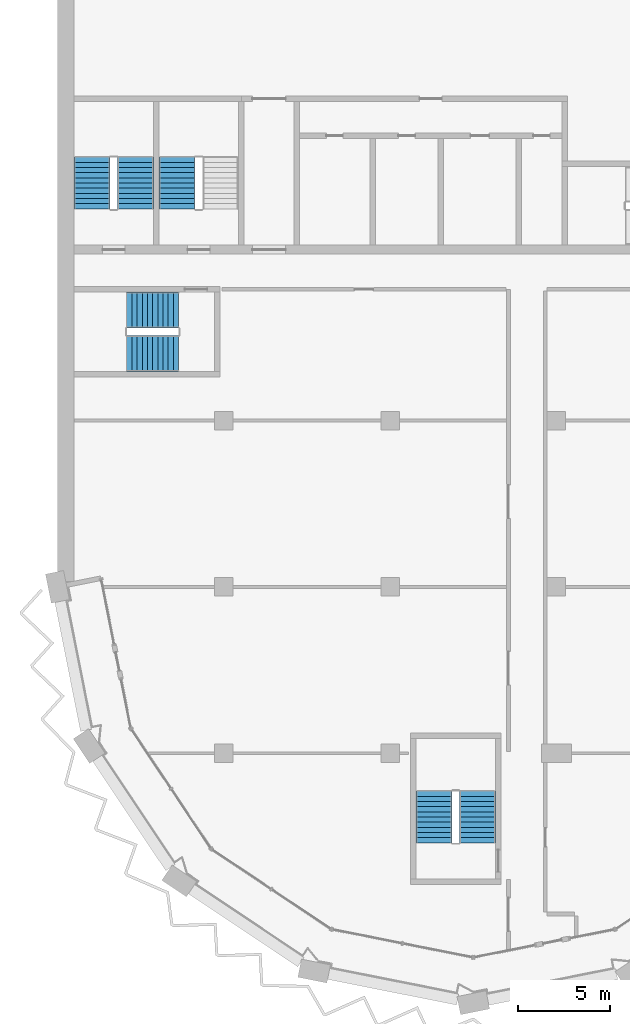
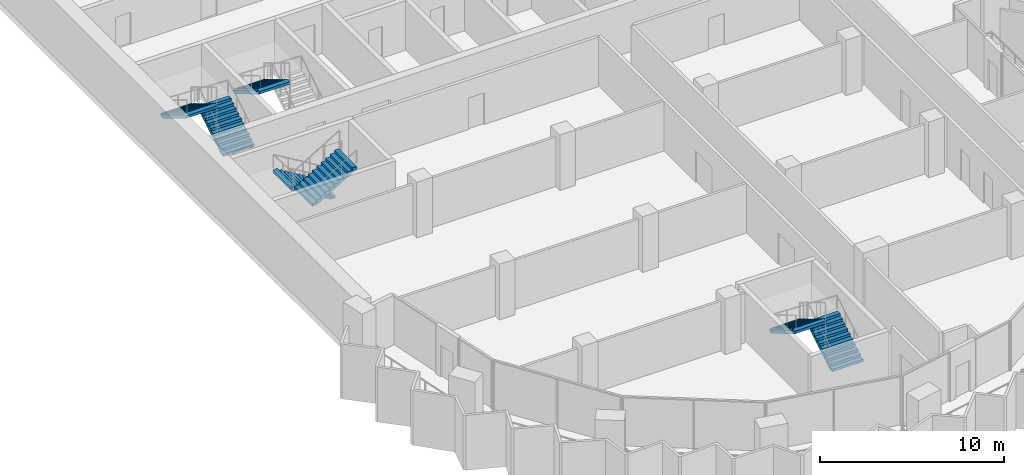
# One storey, part 11 of 16: 7 stair flights, 4 elements without a shape of their own.
"""IFC4 building model written with IfcOpenShell, lengths in metres."""

from ifc_helpers import new_model, si_unit, direction, frame, origin, place, context, subcontext, project, spatial, polyline, outline, extrude, material, type_object, element, aggregate, save


model = new_model("IFC4")

# Units and contexts
model_context = context("Model", 3, precision=1e-05, world=origin(), true_north=direction((0.0, 1.0)))
body_context = subcontext(model_context, "Body", "Model", "MODEL_VIEW")
ifc_project = project(units=[si_unit("LENGTHUNIT", "METRE"), si_unit("AREAUNIT", "SQUARE_METRE"), si_unit("VOLUMEUNIT", "CUBIC_METRE"), si_unit("PLANEANGLEUNIT", "RADIAN"), si_unit("MASSUNIT", "GRAM", prefix="KILO")], contexts=[model_context])

# Site, building, storey
site_placement = place(None, origin())
site = spatial("IfcSite", under=ifc_project, at=site_placement, CompositionType="ELEMENT")
building_placement = place(site_placement, origin())
building = spatial("IfcBuilding", under=site, at=building_placement, Name="Hunhe Ridgeline Campus", CompositionType="ELEMENT")
storey_placement = place(building_placement, frame((0.0, 0.0, 239.199951171875)))
storey = spatial("IfcBuildingStorey", under=building, at=storey_placement, Name="L61", CompositionType="ELEMENT", Elevation=239.199951171875)

# Stair, stair flights
ifc_material = material(Name="Concrete C40", Category="concrete")
stair_type = type_object("IfcStairType", Name="Reinforced concrete dog-leg stair 1950 Concrete C40", PredefinedType="HALF_TURN_STAIR", material=ifc_material)
stair_1_placement = place(storey_placement, origin())
stair_1 = element("IfcStair", 1, at=stair_1_placement, inside=storey, type_object=stair_type, Name="L61 S3", PredefinedType="HALF_TURN_STAIR")
stair_flight_type = type_object("IfcStairFlightType", Name="Reinforced concrete stair flight 1950 Concrete C40", PredefinedType="STRAIGHT", material=ifc_material)
stair_flight_1_placement = place(storey_placement, frame((4.22509765625, 65.449951171875, 0.0), z_axis=(0.0, 0.0, 1.0), x_axis=(0.0, 1.0, 0.0)))
stair_flight_1 = element("IfcStairFlight", 2, at=stair_flight_1_placement, type_object=stair_flight_type, Name="ST3 flight 1", NumberOfRisers=11, NumberOfTreads=10, PredefinedType="STRAIGHT", RiserHeight=0.168181818, TreadLength=0.28, context=body_context, shape_type="SweptSolid", body=[
    extrude(outline(polyline([(0.0, 0.0), (0.0, 0.168212890625), (0.280029296875, 0.168212890625), (0.280029296875, 0.33642578125), (0.56005859375, 0.33642578125), (0.56005859375, 0.504638671875), (0.840087890625, 0.504638671875), (0.840087890625, 0.672607421875), (1.1201171875, 0.672607421875), (1.1201171875, 0.8408203125), (1.39990234375, 0.8408203125), (1.39990234375, 1.009033203125), (1.679931640625, 1.009033203125), (1.679931640625, 1.17724609375), (1.9599609375, 1.17724609375), (1.9599609375, 1.345458984375), (2.239990234375, 1.345458984375), (2.239990234375, 1.513671875), (2.52001953125, 1.513671875), (2.52001953125, 1.681884765625), (2.800048828125, 1.681884765625), (2.800048828125, 1.85009765625), (2.800048828125, 1.5068359375), (0.291015625, 0.0), (0.0, 0.0)])), frame((0.0, 0.97509765625, 0.0), z_axis=(0.0, -1.0, 0.0), x_axis=(1.0, 0.0, 0.0)), (0.0, 0.0, 1.0), 1.949951171875),
    extrude(outline(polyline([(0.030029296875, 0.030029296875), (0.030029296875, 0.13818359375), (0.31005859375, 0.13818359375), (0.31005859375, 0.306396484375), (0.590087890625, 0.306396484375), (0.590087890625, 0.474609375), (0.8701171875, 0.474609375), (0.8701171875, 0.642578125), (1.14990234375, 0.642578125), (1.14990234375, 0.810791015625), (1.429931640625, 0.810791015625), (1.429931640625, 0.97900390625), (1.7099609375, 0.97900390625), (1.7099609375, 1.147216796875), (1.989990234375, 1.147216796875), (1.989990234375, 1.3154296875), (2.27001953125, 1.3154296875), (2.27001953125, 1.483642578125), (2.550048828125, 1.483642578125), (2.550048828125, 1.65185546875), (2.77001953125, 1.65185546875), (2.77001953125, 1.52392578125), (0.28271484375, 0.030029296875), (0.030029296875, 0.030029296875)])), frame((0.0, -0.070068359375, 0.0), z_axis=(0.0, -1.0, 0.0), x_axis=(1.0, 0.0, 0.0)), (0.0, 0.0, 1.0), 0.019775390625),
    extrude(outline(polyline([(0.030029296875, 0.030029296875), (0.030029296875, 0.13818359375), (0.31005859375, 0.13818359375), (0.31005859375, 0.306396484375), (0.590087890625, 0.306396484375), (0.590087890625, 0.474609375), (0.8701171875, 0.474609375), (0.8701171875, 0.642578125), (1.14990234375, 0.642578125), (1.14990234375, 0.810791015625), (1.429931640625, 0.810791015625), (1.429931640625, 0.97900390625), (1.7099609375, 0.97900390625), (1.7099609375, 1.147216796875), (1.989990234375, 1.147216796875), (1.989990234375, 1.3154296875), (2.27001953125, 1.3154296875), (2.27001953125, 1.483642578125), (2.550048828125, 1.483642578125), (2.550048828125, 1.65185546875), (2.77001953125, 1.65185546875), (2.77001953125, 1.52392578125), (0.28271484375, 0.030029296875), (0.030029296875, 0.030029296875)])), frame((0.0, 0.010009765625, 0.0), z_axis=(0.0, -1.0, 0.0), x_axis=(1.0, 0.0, 0.0)), (0.0, 0.0, 1.0), 0.019775390625),
    extrude(outline(polyline([(0.030029296875, 0.030029296875), (0.030029296875, 0.13818359375), (0.31005859375, 0.13818359375), (0.31005859375, 0.306396484375), (0.590087890625, 0.306396484375), (0.590087890625, 0.474609375), (0.8701171875, 0.474609375), (0.8701171875, 0.642578125), (1.14990234375, 0.642578125), (1.14990234375, 0.810791015625), (1.429931640625, 0.810791015625), (1.429931640625, 0.97900390625), (1.7099609375, 0.97900390625), (1.7099609375, 1.147216796875), (1.989990234375, 1.147216796875), (1.989990234375, 1.3154296875), (2.27001953125, 1.3154296875), (2.27001953125, 1.483642578125), (2.550048828125, 1.483642578125), (2.550048828125, 1.65185546875), (2.77001953125, 1.65185546875), (2.77001953125, 1.52392578125), (0.28271484375, 0.030029296875), (0.030029296875, 0.030029296875)])), frame((0.0, 0.090087890625, 0.0), z_axis=(0.0, -1.0, 0.0), x_axis=(1.0, 0.0, 0.0)), (0.0, 0.0, 1.0), 0.019775390625),
])
stair_flight_2_placement = place(storey_placement, frame((1.875, 68.25, 1.85009765625), z_axis=(0.0, 0.0, 1.0), x_axis=(0.0, -1.0, 0.0)))
stair_flight_2 = element("IfcStairFlight", 3, at=stair_flight_2_placement, type_object=stair_flight_type, Name="ST3 flight 2", NumberOfRisers=11, NumberOfTreads=10, PredefinedType="STRAIGHT", RiserHeight=0.168181818, TreadLength=0.28, context=body_context, shape_type="SweptSolid", body=[
    extrude(outline(polyline([(0.0, 0.0), (0.0, 0.168212890625), (0.280029296875, 0.168212890625), (0.280029296875, 0.33642578125), (0.56005859375, 0.33642578125), (0.56005859375, 0.504638671875), (0.840087890625, 0.504638671875), (0.840087890625, 0.672607421875), (1.1201171875, 0.672607421875), (1.1201171875, 0.8408203125), (1.39990234375, 0.8408203125), (1.39990234375, 1.009033203125), (1.679931640625, 1.009033203125), (1.679931640625, 1.17724609375), (1.9599609375, 1.17724609375), (1.9599609375, 1.345458984375), (2.239990234375, 1.345458984375), (2.239990234375, 1.513671875), (2.52001953125, 1.513671875), (2.52001953125, 1.681884765625), (2.800048828125, 1.681884765625), (2.800048828125, 1.85009765625), (2.800048828125, 1.5068359375), (0.291015625, 0.0), (0.0, 0.0)])), frame((0.0, 0.97509765625, 0.0), z_axis=(0.0, -1.0, 0.0), x_axis=(1.0, 0.0, 0.0)), (0.0, 0.0, 1.0), 1.949951171875),
    extrude(outline(polyline([(0.030029296875, 0.030029296875), (0.030029296875, 0.13818359375), (0.31005859375, 0.13818359375), (0.31005859375, 0.306396484375), (0.590087890625, 0.306396484375), (0.590087890625, 0.474609375), (0.8701171875, 0.474609375), (0.8701171875, 0.642578125), (1.14990234375, 0.642578125), (1.14990234375, 0.810791015625), (1.429931640625, 0.810791015625), (1.429931640625, 0.97900390625), (1.7099609375, 0.97900390625), (1.7099609375, 1.147216796875), (1.989990234375, 1.147216796875), (1.989990234375, 1.3154296875), (2.27001953125, 1.3154296875), (2.27001953125, 1.483642578125), (2.550048828125, 1.483642578125), (2.550048828125, 1.65185546875), (2.77001953125, 1.65185546875), (2.77001953125, 1.52392578125), (0.28271484375, 0.030029296875), (0.030029296875, 0.030029296875)])), frame((0.0, -0.070068359375, 0.0), z_axis=(0.0, -1.0, 0.0), x_axis=(1.0, 0.0, 0.0)), (0.0, 0.0, 1.0), 0.019775390625),
    extrude(outline(polyline([(0.030029296875, 0.030029296875), (0.030029296875, 0.13818359375), (0.31005859375, 0.13818359375), (0.31005859375, 0.306396484375), (0.590087890625, 0.306396484375), (0.590087890625, 0.474609375), (0.8701171875, 0.474609375), (0.8701171875, 0.642578125), (1.14990234375, 0.642578125), (1.14990234375, 0.810791015625), (1.429931640625, 0.810791015625), (1.429931640625, 0.97900390625), (1.7099609375, 0.97900390625), (1.7099609375, 1.147216796875), (1.989990234375, 1.147216796875), (1.989990234375, 1.3154296875), (2.27001953125, 1.3154296875), (2.27001953125, 1.483642578125), (2.550048828125, 1.483642578125), (2.550048828125, 1.65185546875), (2.77001953125, 1.65185546875), (2.77001953125, 1.52392578125), (0.28271484375, 0.030029296875), (0.030029296875, 0.030029296875)])), frame((0.0, 0.010009765625, 0.0), z_axis=(0.0, -1.0, 0.0), x_axis=(1.0, 0.0, 0.0)), (0.0, 0.0, 1.0), 0.019775390625),
    extrude(outline(polyline([(0.030029296875, 0.030029296875), (0.030029296875, 0.13818359375), (0.31005859375, 0.13818359375), (0.31005859375, 0.306396484375), (0.590087890625, 0.306396484375), (0.590087890625, 0.474609375), (0.8701171875, 0.474609375), (0.8701171875, 0.642578125), (1.14990234375, 0.642578125), (1.14990234375, 0.810791015625), (1.429931640625, 0.810791015625), (1.429931640625, 0.97900390625), (1.7099609375, 0.97900390625), (1.7099609375, 1.147216796875), (1.989990234375, 1.147216796875), (1.989990234375, 1.3154296875), (2.27001953125, 1.3154296875), (2.27001953125, 1.483642578125), (2.550048828125, 1.483642578125), (2.550048828125, 1.65185546875), (2.77001953125, 1.65185546875), (2.77001953125, 1.52392578125), (0.28271484375, 0.030029296875), (0.030029296875, 0.030029296875)])), frame((0.0, 0.090087890625, 0.0), z_axis=(0.0, -1.0, 0.0), x_axis=(1.0, 0.0, 0.0)), (0.0, 0.0, 1.0), 0.019775390625),
])
aggregate(stair_1, [stair_flight_1, stair_flight_2])

# Stair, stair flight
stair_2_placement = place(storey_placement, origin())
stair_2 = element("IfcStair", 4, at=stair_2_placement, inside=storey, type_object=stair_type, Name="L61 S4", PredefinedType="HALF_TURN_STAIR")
stair_flight_3_placement = place(storey_placement, frame((6.47509765625, 68.25, 1.85009765625), z_axis=(0.0, 0.0, 1.0), x_axis=(0.0, -1.0, 0.0)))
stair_flight_3 = element("IfcStairFlight", 5, at=stair_flight_3_placement, type_object=stair_flight_type, Name="ST4 flight 2", NumberOfRisers=11, NumberOfTreads=10, PredefinedType="STRAIGHT", RiserHeight=0.168181818, TreadLength=0.28, context=body_context, shape_type="SweptSolid", body=[
    extrude(outline(polyline([(0.0, 0.0), (0.0, 0.168212890625), (0.280029296875, 0.168212890625), (0.280029296875, 0.33642578125), (0.56005859375, 0.33642578125), (0.56005859375, 0.504638671875), (0.840087890625, 0.504638671875), (0.840087890625, 0.672607421875), (1.1201171875, 0.672607421875), (1.1201171875, 0.8408203125), (1.39990234375, 0.8408203125), (1.39990234375, 1.009033203125), (1.679931640625, 1.009033203125), (1.679931640625, 1.17724609375), (1.9599609375, 1.17724609375), (1.9599609375, 1.345458984375), (2.239990234375, 1.345458984375), (2.239990234375, 1.513671875), (2.52001953125, 1.513671875), (2.52001953125, 1.681884765625), (2.800048828125, 1.681884765625), (2.800048828125, 1.85009765625), (2.800048828125, 1.5068359375), (0.291015625, 0.0), (0.0, 0.0)])), frame((0.0, 0.97509765625, 0.0), z_axis=(0.0, -1.0, 0.0), x_axis=(1.0, 0.0, 0.0)), (0.0, 0.0, 1.0), 1.949951171875),
    extrude(outline(polyline([(0.030029296875, 0.030029296875), (0.030029296875, 0.13818359375), (0.31005859375, 0.13818359375), (0.31005859375, 0.306396484375), (0.590087890625, 0.306396484375), (0.590087890625, 0.474609375), (0.8701171875, 0.474609375), (0.8701171875, 0.642578125), (1.14990234375, 0.642578125), (1.14990234375, 0.810791015625), (1.429931640625, 0.810791015625), (1.429931640625, 0.97900390625), (1.7099609375, 0.97900390625), (1.7099609375, 1.147216796875), (1.989990234375, 1.147216796875), (1.989990234375, 1.3154296875), (2.27001953125, 1.3154296875), (2.27001953125, 1.483642578125), (2.550048828125, 1.483642578125), (2.550048828125, 1.65185546875), (2.77001953125, 1.65185546875), (2.77001953125, 1.52392578125), (0.28271484375, 0.030029296875), (0.030029296875, 0.030029296875)])), frame((0.0, -0.070068359375, 0.0), z_axis=(0.0, -1.0, 0.0), x_axis=(1.0, 0.0, 0.0)), (0.0, 0.0, 1.0), 0.019775390625),
    extrude(outline(polyline([(0.030029296875, 0.030029296875), (0.030029296875, 0.13818359375), (0.31005859375, 0.13818359375), (0.31005859375, 0.306396484375), (0.590087890625, 0.306396484375), (0.590087890625, 0.474609375), (0.8701171875, 0.474609375), (0.8701171875, 0.642578125), (1.14990234375, 0.642578125), (1.14990234375, 0.810791015625), (1.429931640625, 0.810791015625), (1.429931640625, 0.97900390625), (1.7099609375, 0.97900390625), (1.7099609375, 1.147216796875), (1.989990234375, 1.147216796875), (1.989990234375, 1.3154296875), (2.27001953125, 1.3154296875), (2.27001953125, 1.483642578125), (2.550048828125, 1.483642578125), (2.550048828125, 1.65185546875), (2.77001953125, 1.65185546875), (2.77001953125, 1.52392578125), (0.28271484375, 0.030029296875), (0.030029296875, 0.030029296875)])), frame((0.0, 0.010009765625, 0.0), z_axis=(0.0, -1.0, 0.0), x_axis=(1.0, 0.0, 0.0)), (0.0, 0.0, 1.0), 0.019775390625),
    extrude(outline(polyline([(0.030029296875, 0.030029296875), (0.030029296875, 0.13818359375), (0.31005859375, 0.13818359375), (0.31005859375, 0.306396484375), (0.590087890625, 0.306396484375), (0.590087890625, 0.474609375), (0.8701171875, 0.474609375), (0.8701171875, 0.642578125), (1.14990234375, 0.642578125), (1.14990234375, 0.810791015625), (1.429931640625, 0.810791015625), (1.429931640625, 0.97900390625), (1.7099609375, 0.97900390625), (1.7099609375, 1.147216796875), (1.989990234375, 1.147216796875), (1.989990234375, 1.3154296875), (2.27001953125, 1.3154296875), (2.27001953125, 1.483642578125), (2.550048828125, 1.483642578125), (2.550048828125, 1.65185546875), (2.77001953125, 1.65185546875), (2.77001953125, 1.52392578125), (0.28271484375, 0.030029296875), (0.030029296875, 0.030029296875)])), frame((0.0, 0.090087890625, 0.0), z_axis=(0.0, -1.0, 0.0), x_axis=(1.0, 0.0, 0.0)), (0.0, 0.0, 1.0), 0.019775390625),
])
aggregate(stair_2, [stair_flight_3])

# Stair, stair flights
stair_3_placement = place(storey_placement, origin())
stair_3 = element("IfcStair", 6, at=stair_3_placement, inside=storey, type_object=stair_type, Name="L61 W3", PredefinedType="HALF_TURN_STAIR")
stair_flight_4_placement = place(storey_placement, frame((22.72509765625, 31.14990234375, 0.0), z_axis=(0.0, 0.0, 1.0), x_axis=(0.0, 1.0, 0.0)))
stair_flight_4 = element("IfcStairFlight", 7, at=stair_flight_4_placement, type_object=stair_flight_type, Name="ST9 flight 1", NumberOfRisers=11, NumberOfTreads=10, PredefinedType="STRAIGHT", RiserHeight=0.168181818, TreadLength=0.28, context=body_context, shape_type="SweptSolid", body=[
    extrude(outline(polyline([(0.0, 0.0), (0.0, 0.168212890625), (0.280029296875, 0.168212890625), (0.280029296875, 0.33642578125), (0.56005859375, 0.33642578125), (0.56005859375, 0.504638671875), (0.840087890625, 0.504638671875), (0.840087890625, 0.672607421875), (1.1201171875, 0.672607421875), (1.1201171875, 0.8408203125), (1.39990234375, 0.8408203125), (1.39990234375, 1.009033203125), (1.679931640625, 1.009033203125), (1.679931640625, 1.17724609375), (1.9599609375, 1.17724609375), (1.9599609375, 1.345458984375), (2.239990234375, 1.345458984375), (2.239990234375, 1.513671875), (2.52001953125, 1.513671875), (2.52001953125, 1.681884765625), (2.800048828125, 1.681884765625), (2.800048828125, 1.85009765625), (2.800048828125, 1.5068359375), (0.291015625, 0.0), (0.0, 0.0)])), frame((0.0, 0.97509765625, 0.0), z_axis=(0.0, -1.0, 0.0), x_axis=(1.0, 0.0, 0.0)), (0.0, 0.0, 1.0), 1.949951171875),
    extrude(outline(polyline([(0.030029296875, 0.030029296875), (0.030029296875, 0.13818359375), (0.31005859375, 0.13818359375), (0.31005859375, 0.306396484375), (0.590087890625, 0.306396484375), (0.590087890625, 0.474609375), (0.8701171875, 0.474609375), (0.8701171875, 0.642578125), (1.14990234375, 0.642578125), (1.14990234375, 0.810791015625), (1.429931640625, 0.810791015625), (1.429931640625, 0.97900390625), (1.7099609375, 0.97900390625), (1.7099609375, 1.147216796875), (1.989990234375, 1.147216796875), (1.989990234375, 1.3154296875), (2.27001953125, 1.3154296875), (2.27001953125, 1.483642578125), (2.550048828125, 1.483642578125), (2.550048828125, 1.65185546875), (2.77001953125, 1.65185546875), (2.77001953125, 1.52392578125), (0.28271484375, 0.030029296875), (0.030029296875, 0.030029296875)])), frame((0.0, -0.070068359375, 0.0), z_axis=(0.0, -1.0, 0.0), x_axis=(1.0, 0.0, 0.0)), (0.0, 0.0, 1.0), 0.019775390625),
    extrude(outline(polyline([(0.030029296875, 0.030029296875), (0.030029296875, 0.13818359375), (0.31005859375, 0.13818359375), (0.31005859375, 0.306396484375), (0.590087890625, 0.306396484375), (0.590087890625, 0.474609375), (0.8701171875, 0.474609375), (0.8701171875, 0.642578125), (1.14990234375, 0.642578125), (1.14990234375, 0.810791015625), (1.429931640625, 0.810791015625), (1.429931640625, 0.97900390625), (1.7099609375, 0.97900390625), (1.7099609375, 1.147216796875), (1.989990234375, 1.147216796875), (1.989990234375, 1.3154296875), (2.27001953125, 1.3154296875), (2.27001953125, 1.483642578125), (2.550048828125, 1.483642578125), (2.550048828125, 1.65185546875), (2.77001953125, 1.65185546875), (2.77001953125, 1.52392578125), (0.28271484375, 0.030029296875), (0.030029296875, 0.030029296875)])), frame((0.0, 0.010009765625, 0.0), z_axis=(0.0, -1.0, 0.0), x_axis=(1.0, 0.0, 0.0)), (0.0, 0.0, 1.0), 0.019775390625),
    extrude(outline(polyline([(0.030029296875, 0.030029296875), (0.030029296875, 0.13818359375), (0.31005859375, 0.13818359375), (0.31005859375, 0.306396484375), (0.590087890625, 0.306396484375), (0.590087890625, 0.474609375), (0.8701171875, 0.474609375), (0.8701171875, 0.642578125), (1.14990234375, 0.642578125), (1.14990234375, 0.810791015625), (1.429931640625, 0.810791015625), (1.429931640625, 0.97900390625), (1.7099609375, 0.97900390625), (1.7099609375, 1.147216796875), (1.989990234375, 1.147216796875), (1.989990234375, 1.3154296875), (2.27001953125, 1.3154296875), (2.27001953125, 1.483642578125), (2.550048828125, 1.483642578125), (2.550048828125, 1.65185546875), (2.77001953125, 1.65185546875), (2.77001953125, 1.52392578125), (0.28271484375, 0.030029296875), (0.030029296875, 0.030029296875)])), frame((0.0, 0.090087890625, 0.0), z_axis=(0.0, -1.0, 0.0), x_axis=(1.0, 0.0, 0.0)), (0.0, 0.0, 1.0), 0.019775390625),
])
stair_flight_5_placement = place(storey_placement, frame((20.375, 33.949951171875, 1.85009765625), z_axis=(0.0, 0.0, 1.0), x_axis=(0.0, -1.0, 0.0)))
stair_flight_5 = element("IfcStairFlight", 8, at=stair_flight_5_placement, type_object=stair_flight_type, Name="ST9 flight 2", NumberOfRisers=11, NumberOfTreads=10, PredefinedType="STRAIGHT", RiserHeight=0.168181818, TreadLength=0.28, context=body_context, shape_type="SweptSolid", body=[
    extrude(outline(polyline([(0.0, 0.0), (0.0, 0.168212890625), (0.280029296875, 0.168212890625), (0.280029296875, 0.33642578125), (0.56005859375, 0.33642578125), (0.56005859375, 0.504638671875), (0.840087890625, 0.504638671875), (0.840087890625, 0.672607421875), (1.1201171875, 0.672607421875), (1.1201171875, 0.8408203125), (1.39990234375, 0.8408203125), (1.39990234375, 1.009033203125), (1.679931640625, 1.009033203125), (1.679931640625, 1.17724609375), (1.9599609375, 1.17724609375), (1.9599609375, 1.345458984375), (2.239990234375, 1.345458984375), (2.239990234375, 1.513671875), (2.52001953125, 1.513671875), (2.52001953125, 1.681884765625), (2.800048828125, 1.681884765625), (2.800048828125, 1.85009765625), (2.800048828125, 1.5068359375), (0.291015625, 0.0), (0.0, 0.0)])), frame((0.0, 0.97509765625, 0.0), z_axis=(0.0, -1.0, 0.0), x_axis=(1.0, 0.0, 0.0)), (0.0, 0.0, 1.0), 1.949951171875),
    extrude(outline(polyline([(0.030029296875, 0.030029296875), (0.030029296875, 0.13818359375), (0.31005859375, 0.13818359375), (0.31005859375, 0.306396484375), (0.590087890625, 0.306396484375), (0.590087890625, 0.474609375), (0.8701171875, 0.474609375), (0.8701171875, 0.642578125), (1.14990234375, 0.642578125), (1.14990234375, 0.810791015625), (1.429931640625, 0.810791015625), (1.429931640625, 0.97900390625), (1.7099609375, 0.97900390625), (1.7099609375, 1.147216796875), (1.989990234375, 1.147216796875), (1.989990234375, 1.3154296875), (2.27001953125, 1.3154296875), (2.27001953125, 1.483642578125), (2.550048828125, 1.483642578125), (2.550048828125, 1.65185546875), (2.77001953125, 1.65185546875), (2.77001953125, 1.52392578125), (0.28271484375, 0.030029296875), (0.030029296875, 0.030029296875)])), frame((0.0, -0.070068359375, 0.0), z_axis=(0.0, -1.0, 0.0), x_axis=(1.0, 0.0, 0.0)), (0.0, 0.0, 1.0), 0.019775390625),
    extrude(outline(polyline([(0.030029296875, 0.030029296875), (0.030029296875, 0.13818359375), (0.31005859375, 0.13818359375), (0.31005859375, 0.306396484375), (0.590087890625, 0.306396484375), (0.590087890625, 0.474609375), (0.8701171875, 0.474609375), (0.8701171875, 0.642578125), (1.14990234375, 0.642578125), (1.14990234375, 0.810791015625), (1.429931640625, 0.810791015625), (1.429931640625, 0.97900390625), (1.7099609375, 0.97900390625), (1.7099609375, 1.147216796875), (1.989990234375, 1.147216796875), (1.989990234375, 1.3154296875), (2.27001953125, 1.3154296875), (2.27001953125, 1.483642578125), (2.550048828125, 1.483642578125), (2.550048828125, 1.65185546875), (2.77001953125, 1.65185546875), (2.77001953125, 1.52392578125), (0.28271484375, 0.030029296875), (0.030029296875, 0.030029296875)])), frame((0.0, 0.010009765625, 0.0), z_axis=(0.0, -1.0, 0.0), x_axis=(1.0, 0.0, 0.0)), (0.0, 0.0, 1.0), 0.019775390625),
    extrude(outline(polyline([(0.030029296875, 0.030029296875), (0.030029296875, 0.13818359375), (0.31005859375, 0.13818359375), (0.31005859375, 0.306396484375), (0.590087890625, 0.306396484375), (0.590087890625, 0.474609375), (0.8701171875, 0.474609375), (0.8701171875, 0.642578125), (1.14990234375, 0.642578125), (1.14990234375, 0.810791015625), (1.429931640625, 0.810791015625), (1.429931640625, 0.97900390625), (1.7099609375, 0.97900390625), (1.7099609375, 1.147216796875), (1.989990234375, 1.147216796875), (1.989990234375, 1.3154296875), (2.27001953125, 1.3154296875), (2.27001953125, 1.483642578125), (2.550048828125, 1.483642578125), (2.550048828125, 1.65185546875), (2.77001953125, 1.65185546875), (2.77001953125, 1.52392578125), (0.28271484375, 0.030029296875), (0.030029296875, 0.030029296875)])), frame((0.0, 0.090087890625, 0.0), z_axis=(0.0, -1.0, 0.0), x_axis=(1.0, 0.0, 0.0)), (0.0, 0.0, 1.0), 0.019775390625),
])
aggregate(stair_3, [stair_flight_4, stair_flight_5])

stair_4_placement = place(storey_placement, origin())
stair_4 = element("IfcStair", 9, at=stair_4_placement, inside=storey, type_object=stair_type, Name="L61 W2", PredefinedType="HALF_TURN_STAIR")
stair_flight_6_placement = place(storey_placement, frame((6.550048828125, 59.97509765625, 0.0), z_axis=(0.0, 0.0, 1.0), x_axis=(-1.0, 0.0, 0.0)))
stair_flight_6 = element("IfcStairFlight", 10, at=stair_flight_6_placement, type_object=stair_flight_type, Name="ST12 flight 1", NumberOfRisers=11, NumberOfTreads=10, PredefinedType="STRAIGHT", RiserHeight=0.168181818, TreadLength=0.28, context=body_context, shape_type="SweptSolid", body=[
    extrude(outline(polyline([(0.0, 0.0), (0.0, 0.168212890625), (0.280029296875, 0.168212890625), (0.280029296875, 0.33642578125), (0.56005859375, 0.33642578125), (0.56005859375, 0.504638671875), (0.840087890625, 0.504638671875), (0.840087890625, 0.672607421875), (1.1201171875, 0.672607421875), (1.1201171875, 0.8408203125), (1.39990234375, 0.8408203125), (1.39990234375, 1.009033203125), (1.679931640625, 1.009033203125), (1.679931640625, 1.17724609375), (1.9599609375, 1.17724609375), (1.9599609375, 1.345458984375), (2.239990234375, 1.345458984375), (2.239990234375, 1.513671875), (2.52001953125, 1.513671875), (2.52001953125, 1.681884765625), (2.800048828125, 1.681884765625), (2.800048828125, 1.85009765625), (2.800048828125, 1.5068359375), (0.291015625, 0.0), (0.0, 0.0)])), frame((0.0, 0.97509765625, 0.0), z_axis=(0.0, -1.0, 0.0), x_axis=(1.0, 0.0, 0.0)), (0.0, 0.0, 1.0), 1.949951171875),
    extrude(outline(polyline([(0.030029296875, 0.030029296875), (0.030029296875, 0.13818359375), (0.31005859375, 0.13818359375), (0.31005859375, 0.306396484375), (0.590087890625, 0.306396484375), (0.590087890625, 0.474609375), (0.8701171875, 0.474609375), (0.8701171875, 0.642578125), (1.14990234375, 0.642578125), (1.14990234375, 0.810791015625), (1.429931640625, 0.810791015625), (1.429931640625, 0.97900390625), (1.7099609375, 0.97900390625), (1.7099609375, 1.147216796875), (1.989990234375, 1.147216796875), (1.989990234375, 1.3154296875), (2.27001953125, 1.3154296875), (2.27001953125, 1.483642578125), (2.550048828125, 1.483642578125), (2.550048828125, 1.65185546875), (2.77001953125, 1.65185546875), (2.77001953125, 1.52392578125), (0.28271484375, 0.030029296875), (0.030029296875, 0.030029296875)])), frame((0.0, -0.070068359375, 0.0), z_axis=(0.0, -1.0, 0.0), x_axis=(1.0, 0.0, 0.0)), (0.0, 0.0, 1.0), 0.019775390625),
    extrude(outline(polyline([(0.030029296875, 0.030029296875), (0.030029296875, 0.13818359375), (0.31005859375, 0.13818359375), (0.31005859375, 0.306396484375), (0.590087890625, 0.306396484375), (0.590087890625, 0.474609375), (0.8701171875, 0.474609375), (0.8701171875, 0.642578125), (1.14990234375, 0.642578125), (1.14990234375, 0.810791015625), (1.429931640625, 0.810791015625), (1.429931640625, 0.97900390625), (1.7099609375, 0.97900390625), (1.7099609375, 1.147216796875), (1.989990234375, 1.147216796875), (1.989990234375, 1.3154296875), (2.27001953125, 1.3154296875), (2.27001953125, 1.483642578125), (2.550048828125, 1.483642578125), (2.550048828125, 1.65185546875), (2.77001953125, 1.65185546875), (2.77001953125, 1.52392578125), (0.28271484375, 0.030029296875), (0.030029296875, 0.030029296875)])), frame((0.0, 0.010009765625, 0.0), z_axis=(0.0, -1.0, 0.0), x_axis=(1.0, 0.0, 0.0)), (0.0, 0.0, 1.0), 0.019775390625),
    extrude(outline(polyline([(0.030029296875, 0.030029296875), (0.030029296875, 0.13818359375), (0.31005859375, 0.13818359375), (0.31005859375, 0.306396484375), (0.590087890625, 0.306396484375), (0.590087890625, 0.474609375), (0.8701171875, 0.474609375), (0.8701171875, 0.642578125), (1.14990234375, 0.642578125), (1.14990234375, 0.810791015625), (1.429931640625, 0.810791015625), (1.429931640625, 0.97900390625), (1.7099609375, 0.97900390625), (1.7099609375, 1.147216796875), (1.989990234375, 1.147216796875), (1.989990234375, 1.3154296875), (2.27001953125, 1.3154296875), (2.27001953125, 1.483642578125), (2.550048828125, 1.483642578125), (2.550048828125, 1.65185546875), (2.77001953125, 1.65185546875), (2.77001953125, 1.52392578125), (0.28271484375, 0.030029296875), (0.030029296875, 0.030029296875)])), frame((0.0, 0.090087890625, 0.0), z_axis=(0.0, -1.0, 0.0), x_axis=(1.0, 0.0, 0.0)), (0.0, 0.0, 1.0), 0.019775390625),
])
stair_flight_7_placement = place(storey_placement, frame((3.75, 57.625, 1.85009765625), z_axis=(0.0, 0.0, 1.0), x_axis=(1.0, 0.0, 0.0)))
stair_flight_7 = element("IfcStairFlight", 11, at=stair_flight_7_placement, type_object=stair_flight_type, Name="ST12 flight 2", NumberOfRisers=11, NumberOfTreads=10, PredefinedType="STRAIGHT", RiserHeight=0.168181818, TreadLength=0.28, context=body_context, shape_type="SweptSolid", body=[
    extrude(outline(polyline([(0.0, 0.0), (0.0, 0.168212890625), (0.280029296875, 0.168212890625), (0.280029296875, 0.33642578125), (0.56005859375, 0.33642578125), (0.56005859375, 0.504638671875), (0.840087890625, 0.504638671875), (0.840087890625, 0.672607421875), (1.1201171875, 0.672607421875), (1.1201171875, 0.8408203125), (1.39990234375, 0.8408203125), (1.39990234375, 1.009033203125), (1.679931640625, 1.009033203125), (1.679931640625, 1.17724609375), (1.9599609375, 1.17724609375), (1.9599609375, 1.345458984375), (2.239990234375, 1.345458984375), (2.239990234375, 1.513671875), (2.52001953125, 1.513671875), (2.52001953125, 1.681884765625), (2.800048828125, 1.681884765625), (2.800048828125, 1.85009765625), (2.800048828125, 1.5068359375), (0.291015625, 0.0), (0.0, 0.0)])), frame((0.0, 0.97509765625, 0.0), z_axis=(0.0, -1.0, 0.0), x_axis=(1.0, 0.0, 0.0)), (0.0, 0.0, 1.0), 1.949951171875),
    extrude(outline(polyline([(0.030029296875, 0.030029296875), (0.030029296875, 0.13818359375), (0.31005859375, 0.13818359375), (0.31005859375, 0.306396484375), (0.590087890625, 0.306396484375), (0.590087890625, 0.474609375), (0.8701171875, 0.474609375), (0.8701171875, 0.642578125), (1.14990234375, 0.642578125), (1.14990234375, 0.810791015625), (1.429931640625, 0.810791015625), (1.429931640625, 0.97900390625), (1.7099609375, 0.97900390625), (1.7099609375, 1.147216796875), (1.989990234375, 1.147216796875), (1.989990234375, 1.3154296875), (2.27001953125, 1.3154296875), (2.27001953125, 1.483642578125), (2.550048828125, 1.483642578125), (2.550048828125, 1.65185546875), (2.77001953125, 1.65185546875), (2.77001953125, 1.52392578125), (0.28271484375, 0.030029296875), (0.030029296875, 0.030029296875)])), frame((0.0, -0.070068359375, 0.0), z_axis=(0.0, -1.0, 0.0), x_axis=(1.0, 0.0, 0.0)), (0.0, 0.0, 1.0), 0.019775390625),
    extrude(outline(polyline([(0.030029296875, 0.030029296875), (0.030029296875, 0.13818359375), (0.31005859375, 0.13818359375), (0.31005859375, 0.306396484375), (0.590087890625, 0.306396484375), (0.590087890625, 0.474609375), (0.8701171875, 0.474609375), (0.8701171875, 0.642578125), (1.14990234375, 0.642578125), (1.14990234375, 0.810791015625), (1.429931640625, 0.810791015625), (1.429931640625, 0.97900390625), (1.7099609375, 0.97900390625), (1.7099609375, 1.147216796875), (1.989990234375, 1.147216796875), (1.989990234375, 1.3154296875), (2.27001953125, 1.3154296875), (2.27001953125, 1.483642578125), (2.550048828125, 1.483642578125), (2.550048828125, 1.65185546875), (2.77001953125, 1.65185546875), (2.77001953125, 1.52392578125), (0.28271484375, 0.030029296875), (0.030029296875, 0.030029296875)])), frame((0.0, 0.010009765625, 0.0), z_axis=(0.0, -1.0, 0.0), x_axis=(1.0, 0.0, 0.0)), (0.0, 0.0, 1.0), 0.019775390625),
    extrude(outline(polyline([(0.030029296875, 0.030029296875), (0.030029296875, 0.13818359375), (0.31005859375, 0.13818359375), (0.31005859375, 0.306396484375), (0.590087890625, 0.306396484375), (0.590087890625, 0.474609375), (0.8701171875, 0.474609375), (0.8701171875, 0.642578125), (1.14990234375, 0.642578125), (1.14990234375, 0.810791015625), (1.429931640625, 0.810791015625), (1.429931640625, 0.97900390625), (1.7099609375, 0.97900390625), (1.7099609375, 1.147216796875), (1.989990234375, 1.147216796875), (1.989990234375, 1.3154296875), (2.27001953125, 1.3154296875), (2.27001953125, 1.483642578125), (2.550048828125, 1.483642578125), (2.550048828125, 1.65185546875), (2.77001953125, 1.65185546875), (2.77001953125, 1.52392578125), (0.28271484375, 0.030029296875), (0.030029296875, 0.030029296875)])), frame((0.0, 0.090087890625, 0.0), z_axis=(0.0, -1.0, 0.0), x_axis=(1.0, 0.0, 0.0)), (0.0, 0.0, 1.0), 0.019775390625),
])
aggregate(stair_4, [stair_flight_6, stair_flight_7])

save(model, "model.ifc")
